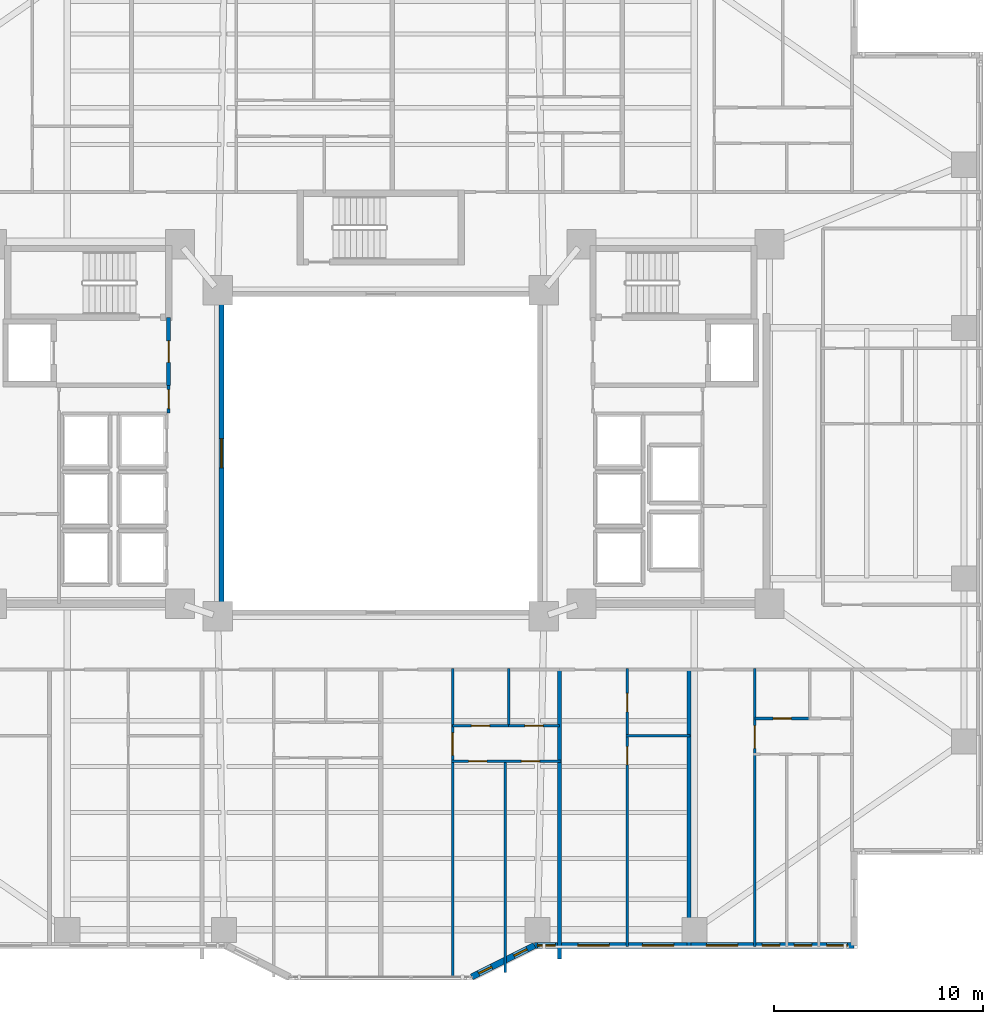
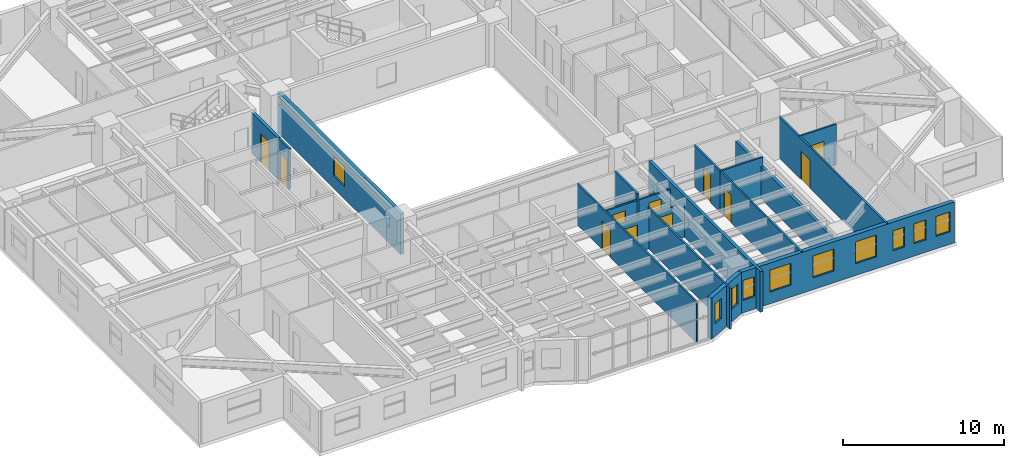
# One storey, part 12 of 22: 18 walls, 11 doors, 10 windows, 21 openings.
"""IFC4 building model written with IfcOpenShell, lengths in metres."""

import ifcopenshell
import ifcopenshell.guid

model = None  # the IFC model being written
_history = None  # IfcOwnerHistory: only IFC2X3 demands one
_inside = {}  # id of a spatial element -> (the spatial element, [elements in it])
_under = {}  # id of a project, library or spatial element -> (it, [spatial elements below it])
_declared = {}  # id of a project -> (the project, [libraries it declares])
_typed = {}  # id of a type object -> (the type object, [elements of that type])
_made_of = {}  # id of a material, layer set ... -> (it, [elements and type objects made of it])


def new_model(schema):
    """Start an empty IFC model of exactly this schema.

    Asked for "IFC4X3", IfcOpenShell would pick the latest addendum, in which some entities
    have other attributes; the version numbers below select the first issue.
    IFC2X3 requires an IfcOwnerHistory on every rooted entity: one is made here for all.
    """
    global model, _history
    if schema == "IFC4X3":
        model = ifcopenshell.file(schema_version=(4, 3, 0, 0))
    else:
        model = ifcopenshell.file(schema=schema)
    _inside.clear()
    _under.clear()
    _declared.clear()
    _typed.clear()
    _made_of.clear()
    _history = None
    if model.schema == "IFC2X3":
        org = make("IfcOrganization", Name="unknown")
        user = make(
            "IfcPersonAndOrganization",
            ThePerson=make("IfcPerson", FamilyName="unknown"),
            TheOrganization=org,
        )
        app = make(
            "IfcApplication",
            ApplicationDeveloper=org,
            Version="unknown",
            ApplicationFullName="unknown",
            ApplicationIdentifier="unknown",
        )
        _history = make(
            "IfcOwnerHistory",
            OwningUser=user,
            OwningApplication=app,
            ChangeAction="ADDED",
            CreationDate=0,
        )
    return model


def make(cls, **values):
    """One entity of the class cls with the attributes given. An attribute that is None is left unset."""
    return model.create_entity(
        cls, **{name: value for name, value in values.items() if value is not None}
    )


def rooted(cls, **values):
    """An entity with a GlobalId (a new one), such as an element, a storey or a relation."""
    return make(cls, GlobalId=ifcopenshell.guid.new(), OwnerHistory=_history, **values)


def si_unit(unit_type, name, prefix=None):
    """IfcSIUnit, for example si_unit("LENGTHUNIT", "METRE", prefix="MILLI")."""
    return make("IfcSIUnit", UnitType=unit_type, Prefix=prefix, Name=name)


def assignment(units):
    """IfcUnitAssignment: the units of a project."""
    return None if units is None else make("IfcUnitAssignment", Units=units)


def point(xyz):
    """IfcCartesianPoint."""
    return None if xyz is None else make("IfcCartesianPoint", Coordinates=xyz)


def direction(xyz):
    """IfcDirection."""
    return None if xyz is None else make("IfcDirection", DirectionRatios=xyz)


def frame(location, z_axis=None, x_axis=None):
    """IfcAxis2Placement3D, a coordinate frame: its origin and axes. An axis left out is left unset."""
    return make(
        "IfcAxis2Placement3D",
        Location=point(location),
        Axis=direction(z_axis),
        RefDirection=direction(x_axis),
    )


def frame_2d(location, x_axis=None):
    """IfcAxis2Placement2D, a coordinate frame in the plane: its origin and x axis."""
    return make(
        "IfcAxis2Placement2D", Location=point(location), RefDirection=direction(x_axis)
    )


def origin():
    """The frame at (0, 0, 0) with its axes left unset."""
    return frame((0.0, 0.0, 0.0))


def place(relative_to, where):
    """IfcLocalPlacement: puts the frame where relative to a parent placement (None: the world)."""
    return make(
        "IfcLocalPlacement", PlacementRelTo=relative_to, RelativePlacement=where
    )


def context(
    kind, dimensions, precision=None, world=None, true_north=None, identifier=None
):
    """IfcGeometricRepresentationContext, for example the 3D "Model" context."""
    return make(
        "IfcGeometricRepresentationContext",
        ContextIdentifier=identifier,
        ContextType=kind,
        CoordinateSpaceDimension=dimensions,
        Precision=precision,
        WorldCoordinateSystem=world,
        TrueNorth=true_north,
    )


def subcontext(parent, identifier, kind, view, scale=None):
    """IfcGeometricRepresentationSubContext, for example "Body" below "Model"."""
    return make(
        "IfcGeometricRepresentationSubContext",
        ContextIdentifier=identifier,
        ContextType=kind,
        ParentContext=parent,
        TargetScale=scale,
        TargetView=view,
    )


def project(units=None, contexts=None):
    """IfcProject with its units and contexts."""
    return rooted(
        "IfcProject",
        Name="project",
        RepresentationContexts=contexts,
        UnitsInContext=assignment(units),
    )


def spatial(cls, under=None, at=None, **own):
    """A site, building, storey or space (cls), placed at a placement, below another one or the project."""
    s = rooted(cls, ObjectPlacement=at, **own)
    if under is not None:
        _under.setdefault(under.id(), (under, []))[1].append(s)
    return s


def profile(cls, at=None, kind="AREA", **sizes):
    """A parametric profile (cls). Its sizes go by their IFC names, for example OverallWidth=200.0."""
    return make(cls, ProfileType=kind, Position=at, **sizes)


def rectangle(**sizes):
    """IfcRectangleProfileDef."""
    return profile("IfcRectangleProfileDef", **sizes)


def extrude(swept, where, along, depth):
    """IfcExtrudedAreaSolid: the profile swept, set in the frame where, extruded along a direction by depth."""
    return make(
        "IfcExtrudedAreaSolid",
        SweptArea=swept,
        Position=where,
        ExtrudedDirection=direction(along),
        Depth=depth,
    )


def shape(context_of_items, identifier, shape_type, items):
    """IfcShapeRepresentation: the items that make up one representation, for example the "Body"."""
    return make(
        "IfcShapeRepresentation",
        ContextOfItems=context_of_items,
        RepresentationIdentifier=identifier,
        RepresentationType=shape_type,
        Items=items,
    )


def material(Name=None, Category=None):
    """IfcMaterial."""
    return make("IfcMaterial", Name=Name, Category=Category)


def layer(
    of_material, thickness, ventilated=None, Name=None, Category=None, Priority=None
):
    """IfcMaterialLayer: one layer of a wall or slab, of a material (None: an air gap)."""
    return make(
        "IfcMaterialLayer",
        Material=of_material,
        LayerThickness=thickness,
        IsVentilated=ventilated,
        Name=Name,
        Category=Category,
        Priority=Priority,
    )


def layer_set(layers, Name=None):
    """IfcMaterialLayerSet."""
    return make("IfcMaterialLayerSet", MaterialLayers=layers, LayerSetName=Name)


def made_of(thing, what):
    """Note that an element or type object is made of a material, layer set ...; save() writes the relation."""
    if what is not None:
        _made_of.setdefault(what.id(), (what, []))[1].append(thing)
    return thing


def type_object(cls, material=None, **own):
    """A type object (cls), such as IfcWallType, which elements share."""
    return made_of(rooted(cls, **own), material)


def element(
    cls,
    number,
    at=None,
    inside=None,
    cuts=None,
    type_object=None,
    material=None,
    context=None,
    identifier="Body",
    shape_type=None,
    held_by="IfcProductDefinitionShape",
    body=None,
    shapes=None,
    **own,
):
    """One element of the class cls, such as IfcWall. Its Tag is "e" and its number.

    at: its placement. inside: the storey or other place that contains it. cuts: it is an
    opening in that element (IfcRelVoidsElement). A single representation is given by context,
    identifier, shape_type and body (its items); several are given by shapes. held_by: the class
    of the entity that holds the representations. save() writes the other relations.
    """
    e = rooted(cls, Tag="e%d" % number, ObjectPlacement=at, **own)
    if body is not None:
        shapes = [shape(context, identifier, shape_type, body)]
    if shapes is not None:
        e.Representation = make(held_by, Representations=shapes)
    if inside is not None:
        _inside.setdefault(inside.id(), (inside, []))[1].append(e)
    if cuts is not None:
        rooted(
            "IfcRelVoidsElement", RelatingBuildingElement=cuts, RelatedOpeningElement=e
        )
    if type_object is not None:
        _typed.setdefault(type_object.id(), (type_object, []))[1].append(e)
    return made_of(e, material)


def fill(opening, filler):
    """IfcRelFillsElement: the door or window that sits in an opening."""
    return rooted(
        "IfcRelFillsElement",
        RelatingOpeningElement=opening,
        RelatedBuildingElement=filler,
    )


def aggregate(whole, parts):
    """IfcRelAggregates: a whole, such as a stair, and the parts it consists of."""
    return rooted("IfcRelAggregates", RelatingObject=whole, RelatedObjects=parts)


def save(model, path):
    """Write the relations noted so far, then the file.

    IfcRelAggregates (storeys below a building ...), IfcRelContainedInSpatialStructure (elements
    in a storey), IfcRelDefinesByType, IfcRelAssociatesMaterial and IfcRelDeclares: one each for
    every whole, place, type object, material and project.
    """
    for whole, parts in _under.values():
        aggregate(whole, parts)
    for where, things in _inside.values():
        rooted(
            "IfcRelContainedInSpatialStructure",
            RelatedElements=things,
            RelatingStructure=where,
        )
    for kind, things in _typed.values():
        rooted("IfcRelDefinesByType", RelatedObjects=things, RelatingType=kind)
    for what, things in _made_of.values():
        rooted("IfcRelAssociatesMaterial", RelatedObjects=things, RelatingMaterial=what)
    for by, libraries in _declared.values():
        rooted("IfcRelDeclares", RelatingContext=by, RelatedDefinitions=libraries)
    model.write(path)


model = new_model("IFC4")

# Units and contexts
model_context = context("Model", 3, precision=1e-05, world=origin(), true_north=direction((0.0, 1.0)))
body_context = subcontext(model_context, "Body", "Model", "MODEL_VIEW")
ifc_project = project(units=[si_unit("LENGTHUNIT", "METRE"), si_unit("AREAUNIT", "SQUARE_METRE"), si_unit("VOLUMEUNIT", "CUBIC_METRE"), si_unit("PLANEANGLEUNIT", "RADIAN"), si_unit("MASSUNIT", "GRAM", prefix="KILO")], contexts=[model_context])

# Site, building, storey
site_placement = place(None, origin())
site = spatial("IfcSite", under=ifc_project, at=site_placement, CompositionType="ELEMENT")
building_placement = place(site_placement, origin())
building = spatial("IfcBuilding", under=site, at=building_placement, Name="Tarnavaz Court Tower", CompositionType="ELEMENT")
storey_placement = place(building_placement, frame((0.0, 0.0, 57.5)))
storey = spatial("IfcBuildingStorey", under=building, at=storey_placement, Name="L15", CompositionType="ELEMENT", Elevation=57.5)

# Wall, openings, windows
ifc_material_1 = material(Name="Precast Concrete C40/50", Category="concrete")
ifc_layer_1 = layer(ifc_material_1, 0.300048828125)
ifc_layer_set_1 = layer_set([ifc_layer_1], Name="Precast Concrete C40/50")
wall_type_1 = type_object("IfcWallType", Name="WL-EXT-300", PredefinedType="SOLIDWALL", material=ifc_layer_set_1)
wall_1_placement = place(storey_placement, frame((22.64990234375, -23.550048828125, 0.0), z_axis=(0.0, 0.0, 1.0), x_axis=(-1.0, 0.0, 0.0)))
wall_1 = element("IfcWall", 1, at=wall_1_placement, inside=storey, type_object=wall_type_1, Name="L15 Exterior Terracotta Facade Wall 15", PredefinedType="SOLIDWALL", context=body_context, shape_type="SweptSolid", body=[
    extrude(rectangle(XDim=15.2998046875, YDim=0.300048828125, at=frame_2d((7.64990234375, 0.0))), origin(), (0.0, 0.0, 1.0), 3.10009765625),
])
opening_1_placement = place(wall_1_placement, frame((0.32080078125, 0.0, 0.949951171875)))
opening_1 = element("IfcOpeningElement", 2, at=opening_1_placement, cuts=wall_1, Name="Opening W14", PredefinedType="OPENING", context=body_context, shape_type="SweptSolid", body=[
    extrude(rectangle(XDim=1.0, YDim=1.5, at=frame_2d((0.5, 0.75))), frame((0.0, 0.159912109375, 0.0), z_axis=(0.0, -1.0, 0.0), x_axis=(1.0, 0.0, 0.0)), (0.0, 0.0, 1.0), 0.320068359375),
])
opening_2_placement = place(wall_1_placement, frame((2.031005859375, 0.0, 0.949951171875)))
opening_2 = element("IfcOpeningElement", 3, at=opening_2_placement, cuts=wall_1, Name="Opening W15", PredefinedType="OPENING", context=body_context, shape_type="SweptSolid", body=[
    extrude(rectangle(XDim=0.85009765625, YDim=1.5, at=frame_2d((0.425048828125, 0.75))), frame((0.0, 0.159912109375, 0.0), z_axis=(0.0, -1.0, 0.0), x_axis=(1.0, 0.0, 0.0)), (0.0, 0.0, 1.0), 0.320068359375),
])
opening_3_placement = place(wall_1_placement, frame((3.5615234375, 0.0, 0.949951171875)))
opening_3 = element("IfcOpeningElement", 4, at=opening_3_placement, cuts=wall_1, Name="Opening W15", PredefinedType="OPENING", context=body_context, shape_type="SweptSolid", body=[
    extrude(rectangle(XDim=0.85009765625, YDim=1.5, at=frame_2d((0.425048828125, 0.75))), frame((0.0, 0.159912109375, 0.0), z_axis=(0.0, -1.0, 0.0), x_axis=(1.0, 0.0, 0.0)), (0.0, 0.0, 1.0), 0.320068359375),
])
opening_4_placement = place(wall_1_placement, frame((5.57080078125, 0.0, 0.89990234375)))
opening_4 = element("IfcOpeningElement", 5, at=opening_4_placement, cuts=wall_1, Name="Opening W03", PredefinedType="OPENING", context=body_context, shape_type="SweptSolid", body=[
    extrude(rectangle(XDim=1.5, YDim=1.64990234375, at=frame_2d((0.75, 0.824951171875))), frame((0.0, 0.159912109375, 0.0), z_axis=(0.0, -1.0, 0.0), x_axis=(1.0, 0.0, 0.0)), (0.0, 0.0, 1.0), 0.320068359375),
])
opening_5_placement = place(wall_1_placement, frame((8.630615234375, 0.0, 0.89990234375)))
opening_5 = element("IfcOpeningElement", 6, at=opening_5_placement, cuts=wall_1, Name="Opening W03", PredefinedType="OPENING", context=body_context, shape_type="SweptSolid", body=[
    extrude(rectangle(XDim=1.5, YDim=1.64990234375, at=frame_2d((0.75, 0.824951171875))), frame((0.0, 0.159912109375, 0.0), z_axis=(0.0, -1.0, 0.0), x_axis=(1.0, 0.0, 0.0)), (0.0, 0.0, 1.0), 0.320068359375),
])
opening_6_placement = place(wall_1_placement, frame((11.7158203125, 0.0, 0.89990234375)))
opening_6 = element("IfcOpeningElement", 7, at=opening_6_placement, cuts=wall_1, Name="Opening W03", PredefinedType="OPENING", context=body_context, shape_type="SweptSolid", body=[
    extrude(rectangle(XDim=1.5, YDim=1.64990234375, at=frame_2d((0.75, 0.824951171875))), frame((0.0, 0.159912109375, 0.0), z_axis=(0.0, -1.0, 0.0), x_axis=(1.0, 0.0, 0.0)), (0.0, 0.0, 1.0), 0.320068359375),
])
opening_7_placement = place(wall_1_placement, frame((14.30322265625, 0.0, 0.949951171875)))
opening_7 = element("IfcOpeningElement", 8, at=opening_7_placement, cuts=wall_1, Name="Opening W15", PredefinedType="OPENING", context=body_context, shape_type="SweptSolid", body=[
    extrude(rectangle(XDim=0.85009765625, YDim=1.5, at=frame_2d((0.425048828125, 0.75))), frame((0.0, 0.159912109375, 0.0), z_axis=(0.0, -1.0, 0.0), x_axis=(1.0, 0.0, 0.0)), (0.0, 0.0, 1.0), 0.320068359375),
])
ifc_material_2 = material(Name="Double-Glazed Solar Low-E Glass", Category="glass")
window_type_1 = type_object("IfcWindowType", Name="WN-APT-1000", PartitioningType="SINGLE_PANEL", PredefinedType="WINDOW", material=ifc_material_2)
window_1_placement = place(opening_1_placement, origin())
window_1 = element("IfcWindow", 9, at=window_1_placement, inside=storey, type_object=window_type_1, Name="L15 Flat 08 Bedroom 3 Window", OverallHeight=1.5, OverallWidth=1.0, PartitioningType="SINGLE_PANEL", PredefinedType="WINDOW", context=body_context, shape_type="SweptSolid", body=[
    extrude(rectangle(XDim=1.0, YDim=1.5, at=frame_2d((0.5, 0.75))), frame((0.0, 0.030029296875, 0.0), z_axis=(0.0, -1.0, 0.0), x_axis=(1.0, 0.0, 0.0)), (0.0, 0.0, 1.0), 0.06005859375),
])
fill(opening_1, window_1)
window_type_2 = type_object("IfcWindowType", Name="WN-APT-1500", PartitioningType="DOUBLE_PANEL_VERTICAL", PredefinedType="WINDOW", material=ifc_material_2)
window_2_placement = place(opening_4_placement, origin())
window_2 = element("IfcWindow", 10, at=window_2_placement, inside=storey, type_object=window_type_2, Name="L15 Flat 08 Living and Dining Room Window", OverallHeight=1.64990234375, OverallWidth=1.5, PartitioningType="SINGLE_PANEL", PredefinedType="WINDOW", context=body_context, shape_type="SweptSolid", body=[
    extrude(rectangle(XDim=1.5, YDim=1.64990234375, at=frame_2d((0.75, 0.824951171875))), frame((0.0, 0.030029296875, 0.0), z_axis=(0.0, -1.0, 0.0), x_axis=(1.0, 0.0, 0.0)), (0.0, 0.0, 1.0), 0.06005859375),
])
fill(opening_4, window_2)
window_3_placement = place(opening_5_placement, origin())
window_3 = element("IfcWindow", 11, at=window_3_placement, inside=storey, type_object=window_type_2, Name="L15 Flat 07 Kitchen Window", OverallHeight=1.64990234375, OverallWidth=1.5, PartitioningType="SINGLE_PANEL", PredefinedType="WINDOW", context=body_context, shape_type="SweptSolid", body=[
    extrude(rectangle(XDim=1.5, YDim=1.64990234375, at=frame_2d((0.75, 0.824951171875))), frame((0.0, 0.030029296875, 0.0), z_axis=(0.0, -1.0, 0.0), x_axis=(1.0, 0.0, 0.0)), (0.0, 0.0, 1.0), 0.06005859375),
])
fill(opening_5, window_3)
window_4_placement = place(opening_6_placement, origin())
window_4 = element("IfcWindow", 12, at=window_4_placement, inside=storey, type_object=window_type_2, Name="L15 Flat 07 Studio Living and Sleeping Room Window", OverallHeight=1.64990234375, OverallWidth=1.5, PartitioningType="SINGLE_PANEL", PredefinedType="WINDOW", context=body_context, shape_type="SweptSolid", body=[
    extrude(rectangle(XDim=1.5, YDim=1.64990234375, at=frame_2d((0.75, 0.824951171875))), frame((0.0, 0.030029296875, 0.0), z_axis=(0.0, -1.0, 0.0), x_axis=(1.0, 0.0, 0.0)), (0.0, 0.0, 1.0), 0.06005859375),
])
fill(opening_6, window_4)
window_type_3 = type_object("IfcWindowType", Name="WN-APT-850", PartitioningType="SINGLE_PANEL", PredefinedType="WINDOW", material=ifc_material_2)
window_5_placement = place(opening_2_placement, origin())
window_5 = element("IfcWindow", 13, at=window_5_placement, inside=storey, type_object=window_type_3, Name="L15 Flat 08 Bedroom 2 Window", OverallHeight=1.5, OverallWidth=0.85009765625, PartitioningType="SINGLE_PANEL", PredefinedType="WINDOW", context=body_context, shape_type="SweptSolid", body=[
    extrude(rectangle(XDim=0.85009765625, YDim=1.5, at=frame_2d((0.425048828125, 0.75))), frame((0.0, 0.030029296875, 0.0), z_axis=(0.0, -1.0, 0.0), x_axis=(1.0, 0.0, 0.0)), (0.0, 0.0, 1.0), 0.06005859375),
])
fill(opening_2, window_5)
window_6_placement = place(opening_3_placement, origin())
window_6 = element("IfcWindow", 14, at=window_6_placement, inside=storey, type_object=window_type_3, Name="L15 Flat 08 Principal Bedroom Window", OverallHeight=1.5, OverallWidth=0.85009765625, PartitioningType="SINGLE_PANEL", PredefinedType="WINDOW", context=body_context, shape_type="SweptSolid", body=[
    extrude(rectangle(XDim=0.85009765625, YDim=1.5, at=frame_2d((0.425048828125, 0.75))), frame((0.0, 0.030029296875, 0.0), z_axis=(0.0, -1.0, 0.0), x_axis=(1.0, 0.0, 0.0)), (0.0, 0.0, 1.0), 0.06005859375),
])
fill(opening_3, window_6)
window_7_placement = place(opening_7_placement, origin())
window_7 = element("IfcWindow", 15, at=window_7_placement, inside=storey, type_object=window_type_3, Name="L15 Flat 10 Bedroom 2 Window", OverallHeight=1.5, OverallWidth=0.85009765625, PartitioningType="SINGLE_PANEL", PredefinedType="WINDOW", context=body_context, shape_type="SweptSolid", body=[
    extrude(rectangle(XDim=0.85009765625, YDim=1.5, at=frame_2d((0.425048828125, 0.75))), frame((0.0, 0.030029296875, 0.0), z_axis=(0.0, -1.0, 0.0), x_axis=(1.0, 0.0, 0.0)), (0.0, 0.0, 1.0), 0.06005859375),
])
fill(opening_7, window_7)

wall_2_placement = place(storey_placement, frame((7.35009765625, -23.550048828125, 0.0), z_axis=(0.0, 0.0, 1.0), x_axis=(-0.894427191, -0.4472135955, 0.0)))
wall_2 = element("IfcWall", 16, at=wall_2_placement, inside=storey, type_object=wall_type_1, Name="L15 Exterior Terracotta Facade Wall 16", PredefinedType="SOLIDWALL", context=body_context, shape_type="SweptSolid", body=[
    extrude(rectangle(XDim=3.35400390625, YDim=0.300048828125, at=frame_2d((1.677001953125, 0.0))), origin(), (0.0, 0.0, 1.0), 3.10009765625),
])
opening_8_placement = place(wall_2_placement, frame((0.395751953125, 0.0, 0.949951171875)))
opening_8 = element("IfcOpeningElement", 17, at=opening_8_placement, cuts=wall_2, Name="Opening W16", PredefinedType="OPENING", context=body_context, shape_type="SweptSolid", body=[
    extrude(rectangle(XDim=0.699951171875, YDim=1.5, at=frame_2d((0.35009765625, 0.75))), frame((0.0, 0.159912109375, 0.0), z_axis=(0.0, -1.0, 0.0), x_axis=(1.0, 0.0, 0.0)), (0.0, 0.0, 1.0), 0.320068359375),
])
opening_9_placement = place(wall_2_placement, frame((2.282470703125, 0.0, 0.949951171875)))
opening_9 = element("IfcOpeningElement", 18, at=opening_9_placement, cuts=wall_2, Name="Opening W16", PredefinedType="OPENING", context=body_context, shape_type="SweptSolid", body=[
    extrude(rectangle(XDim=0.699951171875, YDim=1.5, at=frame_2d((0.35009765625, 0.75))), frame((0.0, 0.159912109375, 0.0), z_axis=(0.0, -1.0, 0.0), x_axis=(1.0, 0.0, 0.0)), (0.0, 0.0, 1.0), 0.320068359375),
])
window_type_4 = type_object("IfcWindowType", Name="WN-APT-700", PartitioningType="SINGLE_PANEL", PredefinedType="WINDOW", material=ifc_material_2)
window_8_placement = place(opening_8_placement, origin())
window_8 = element("IfcWindow", 19, at=window_8_placement, inside=storey, type_object=window_type_4, Name="L15 Flat 10 Bedroom 2 Window", OverallHeight=1.5, OverallWidth=0.699951171875, PartitioningType="SINGLE_PANEL", PredefinedType="WINDOW", context=body_context, shape_type="SweptSolid", body=[
    extrude(rectangle(XDim=0.699951171875, YDim=1.5, at=frame_2d((0.35009765625, 0.75))), frame((0.0, 0.030029296875, 0.0), z_axis=(0.0, -1.0, 0.0), x_axis=(1.0, 0.0, 0.0)), (0.0, 0.0, 1.0), 0.06005859375),
])
fill(opening_8, window_8)
window_9_placement = place(opening_9_placement, origin())
window_9 = element("IfcWindow", 20, at=window_9_placement, inside=storey, type_object=window_type_4, Name="L15 Flat 10 Principal Bedroom Window", OverallHeight=1.5, OverallWidth=0.699951171875, PartitioningType="SINGLE_PANEL", PredefinedType="WINDOW", context=body_context, shape_type="SweptSolid", body=[
    extrude(rectangle(XDim=0.699951171875, YDim=1.5, at=frame_2d((0.35009765625, 0.75))), frame((0.0, 0.030029296875, 0.0), z_axis=(0.0, -1.0, 0.0), x_axis=(1.0, 0.0, 0.0)), (0.0, 0.0, 1.0), 0.06005859375),
])
fill(opening_9, window_9)

# Wall, opening, door
ifc_material_3 = material(Name="Autoclaved Aerated Concrete Blockwork", Category="masonry")
ifc_layer_2 = layer(ifc_material_3, 0.199951171875)
ifc_layer_set_2 = layer_set([ifc_layer_2], Name="Autoclaved Aerated Concrete Blockwork")
wall_type_2 = type_object("IfcWallType", Name="WL-FIRE-200", PredefinedType="SOLIDWALL", material=ifc_layer_set_2)
wall_3_placement = place(storey_placement, frame((-10.14990234375, 3.25, 0.0), z_axis=(0.0, 0.0, 1.0), x_axis=(0.0, 1.0, 0.0)))
wall_3 = element("IfcWall", 21, at=wall_3_placement, inside=storey, type_object=wall_type_2, Name="L15 West Firefighting Lobby Wall 014", PredefinedType="SOLIDWALL", context=body_context, shape_type="SweptSolid", body=[
    extrude(rectangle(XDim=3.25, YDim=0.199951171875, at=frame_2d((1.625, 0.0))), origin(), (0.0, 0.0, 1.0), 3.10009765625),
])
opening_10_placement = place(wall_3_placement, frame((1.10009765625, 0.0, 0.0)))
opening_10 = element("IfcOpeningElement", 22, at=opening_10_placement, cuts=wall_3, Name="Opening D05", PredefinedType="OPENING", context=body_context, shape_type="SweptSolid", body=[
    extrude(rectangle(XDim=1.02001953125, YDim=2.14990234375, at=frame_2d((0.510009765625, 1.074951171875))), frame((0.0, 0.10986328125, 0.0), z_axis=(0.0, -1.0, 0.0), x_axis=(1.0, 0.0, 0.0)), (0.0, 0.0, 1.0), 0.219970703125),
])
ifc_material_4 = material(Name="Fire-Rated Hardwood Timber Core", Category="wood")
door_type_1 = type_object("IfcDoorType", Name="DR-FD60-1000", OperationType="NOTDEFINED", PredefinedType="DOOR", material=ifc_material_4)
door_1_placement = place(opening_10_placement, origin())
door_1 = element("IfcDoor", 23, at=door_1_placement, inside=storey, type_object=door_type_1, Name="L15 West Firefighting Lobby Door", OperationType="SINGLE_SWING_RIGHT", OverallHeight=2.14990234375, OverallWidth=1.02001953125, PredefinedType="DOOR", context=body_context, shape_type="SweptSolid", body=[
    extrude(rectangle(XDim=1.02001953125, YDim=2.14990234375, at=frame_2d((0.510009765625, 1.074951171875))), frame((0.0, 0.02490234375, 0.0), z_axis=(0.0, -1.0, 0.0), x_axis=(1.0, 0.0, 0.0)), (0.0, 0.0, 1.0), 0.050048828125),
])
fill(opening_10, door_1)

# Walls
wall_4_placement = place(storey_placement, frame((14.738037109375, -23.60009765625, 0.0), z_axis=(0.0, 0.0, 1.0), x_axis=(0.0, 1.0, 0.0)))
element("IfcWall", 24, at=wall_4_placement, inside=storey, type_object=wall_type_2, Name="L15 Party Wall 118", PredefinedType="SOLIDWALL", context=body_context, shape_type="SweptSolid", body=[
    extrude(rectangle(XDim=13.25, YDim=0.199951171875, at=frame_2d((6.625, 0.0))), origin(), (0.0, 0.0, 1.0), 2.43505859375),
])
wall_5_placement = place(storey_placement, frame((8.550048828125, -24.2041015625, 0.0), z_axis=(0.0, 0.0, 1.0), x_axis=(0.0, 1.0, 0.0)))
element("IfcWall", 25, at=wall_5_placement, inside=storey, type_object=wall_type_2, Name="L15 Party Wall 130", PredefinedType="SOLIDWALL", context=body_context, shape_type="SweptSolid", body=[
    extrude(rectangle(XDim=13.85400390625, YDim=0.199951171875, at=frame_2d((6.927001953125, 0.0))), origin(), (0.0, 0.0, 1.0), 3.10009765625),
])

# Wall, opening, door
ifc_material_5 = material(Name="Moisture-Resistant Gypsum Board Partition", Category="masonry")
ifc_layer_3 = layer(ifc_material_5, 0.1201171875)
ifc_layer_set_3 = layer_set([ifc_layer_3], Name="Moisture-Resistant Gypsum Board Partition")
wall_type_3 = type_object("IfcWallType", Name="WL-PART-120", PredefinedType="PARTITIONING", material=ifc_layer_set_3)
wall_6_placement = place(storey_placement, frame((11.7890625, -23.60009765625, 0.0), z_axis=(0.0, 0.0, 1.0), x_axis=(0.0, 1.0, 0.0)))
wall_6 = element("IfcWall", 26, at=wall_6_placement, inside=storey, type_object=wall_type_3, Name="L15 Interior Partition 119", PredefinedType="PARTITIONING", context=body_context, shape_type="SweptSolid", body=[
    extrude(rectangle(XDim=10.090087890625, YDim=0.1201171875, at=frame_2d((5.044921875, 0.0))), origin(), (0.0, 0.0, 1.0), 3.10009765625),
])
opening_11_placement = place(wall_6_placement, frame((8.68994140625, 0.0, 0.0)))
opening_11 = element("IfcOpeningElement", 27, at=opening_11_placement, cuts=wall_6, Name="Opening D14", PredefinedType="OPENING", context=body_context, shape_type="SweptSolid", body=[
    extrude(rectangle(XDim=0.8798828125, YDim=2.10009765625, at=frame_2d((0.43994140625, 1.050048828125))), frame((0.0, 0.070068359375, 0.0), z_axis=(0.0, -1.0, 0.0), x_axis=(1.0, 0.0, 0.0)), (0.0, 0.0, 1.0), 0.14013671875),
])
ifc_material_6 = material(Name="Engineered Oak Timber", Category="wood")
door_type_2 = type_object("IfcDoorType", Name="DR-INT-900", OperationType="NOTDEFINED", PredefinedType="DOOR", material=ifc_material_6)
door_2_placement = place(opening_11_placement, origin())
door_2 = element("IfcDoor", 28, at=door_2_placement, inside=storey, type_object=door_type_2, Name="L15 Flat 07 Kitchen Door", OperationType="SINGLE_SWING_LEFT", OverallHeight=2.10009765625, OverallWidth=0.8798828125, PredefinedType="DOOR", context=body_context, shape_type="SweptSolid", body=[
    extrude(rectangle(XDim=0.8798828125, YDim=2.10009765625, at=frame_2d((0.43994140625, 1.050048828125))), frame((0.0, 0.02490234375, 0.0), z_axis=(0.0, -1.0, 0.0), x_axis=(1.0, 0.0, 0.0)), (0.0, 0.0, 1.0), 0.050048828125),
])
fill(opening_11, door_2)

wall_7_placement = place(storey_placement, frame((11.7890625, -13.510009765625, 0.0), z_axis=(0.0, 0.0, 1.0), x_axis=(0.0, 1.0, 0.0)))
wall_7 = element("IfcWall", 29, at=wall_7_placement, inside=storey, type_object=wall_type_3, Name="L15 Interior Partition 120", PredefinedType="PARTITIONING", context=body_context, shape_type="SweptSolid", body=[
    extrude(rectangle(XDim=3.219970703125, YDim=0.1201171875, at=frame_2d((1.60986328125, 0.0))), origin(), (0.0, 0.0, 1.0), 3.10009765625),
])
opening_12_placement = place(wall_7_placement, frame((1.139892578125, 0.0, 0.0)))
opening_12 = element("IfcOpeningElement", 30, at=opening_12_placement, cuts=wall_7, Name="Opening D14", PredefinedType="OPENING", context=body_context, shape_type="SweptSolid", body=[
    extrude(rectangle(XDim=0.8798828125, YDim=2.10009765625, at=frame_2d((0.43994140625, 1.050048828125))), frame((0.0, 0.070068359375, 0.0), z_axis=(0.0, -1.0, 0.0), x_axis=(1.0, 0.0, 0.0)), (0.0, 0.0, 1.0), 0.14013671875),
])
door_3_placement = place(opening_12_placement, origin())
door_3 = element("IfcDoor", 31, at=door_3_placement, inside=storey, type_object=door_type_2, Name="L15 Flat 07 Bathroom Door", OperationType="SINGLE_SWING_RIGHT", OverallHeight=2.10009765625, OverallWidth=0.8798828125, PredefinedType="DOOR", context=body_context, shape_type="SweptSolid", body=[
    extrude(rectangle(XDim=0.8798828125, YDim=2.10009765625, at=frame_2d((0.43994140625, 1.050048828125))), frame((0.0, 0.02490234375, 0.0), z_axis=(0.0, -1.0, 0.0), x_axis=(1.0, 0.0, 0.0)), (0.0, 0.0, 1.0), 0.050048828125),
])
fill(opening_12, door_3)

# Wall
wall_8_placement = place(storey_placement, frame((11.72900390625, -13.510009765625, 0.0), z_axis=(0.0, 0.0, 1.0), x_axis=(1.0, 0.0, 0.0)))
element("IfcWall", 32, at=wall_8_placement, inside=storey, type_object=wall_type_3, Name="L15 Interior Partition 121", PredefinedType="PARTITIONING", context=body_context, shape_type="SweptSolid", body=[
    extrude(rectangle(XDim=3.069091796875, YDim=0.1201171875, at=frame_2d((1.53466796875, 0.0))), origin(), (0.0, 0.0, 1.0), 3.10009765625),
])

# Wall, opening, door
wall_9_placement = place(storey_placement, frame((17.89794921875, -23.60009765625, 0.0), z_axis=(0.0, 0.0, 1.0), x_axis=(0.0, 1.0, 0.0)))
wall_9 = element("IfcWall", 33, at=wall_9_placement, inside=storey, type_object=wall_type_3, Name="L15 Interior Partition 122", PredefinedType="PARTITIONING", context=body_context, shape_type="SweptSolid", body=[
    extrude(rectangle(XDim=13.31005859375, YDim=0.1201171875, at=frame_2d((6.655029296875, 0.0))), origin(), (0.0, 0.0, 1.0), 3.10009765625),
])
opening_13_placement = place(wall_9_placement, frame((9.485107421875, 0.0, 0.0)))
opening_13 = element("IfcOpeningElement", 34, at=opening_13_placement, cuts=wall_9, Name="Opening D12", PredefinedType="OPENING", context=body_context, shape_type="SweptSolid", body=[
    extrude(rectangle(XDim=1.080078125, YDim=2.14990234375, at=frame_2d((0.5400390625, 1.074951171875))), frame((0.0, 0.070068359375, 0.0), z_axis=(0.0, -1.0, 0.0), x_axis=(1.0, 0.0, 0.0)), (0.0, 0.0, 1.0), 0.14013671875),
])
door_type_3 = type_object("IfcDoorType", Name="DR-INT-1100", OperationType="NOTDEFINED", PredefinedType="DOOR", material=ifc_material_6)
door_4_placement = place(opening_13_placement, origin())
door_4 = element("IfcDoor", 35, at=door_4_placement, inside=storey, type_object=door_type_3, Name="L15 Flat 08 Foyer Door", OperationType="SINGLE_SWING_RIGHT", OverallHeight=2.14990234375, OverallWidth=1.080078125, PredefinedType="DOOR", context=body_context, shape_type="SweptSolid", body=[
    extrude(rectangle(XDim=1.080078125, YDim=2.14990234375, at=frame_2d((0.5400390625, 1.074951171875))), frame((0.0, 0.02490234375, 0.0), z_axis=(0.0, -1.0, 0.0), x_axis=(1.0, 0.0, 0.0)), (0.0, 0.0, 1.0), 0.050048828125),
])
fill(opening_13, door_4)

wall_10_placement = place(storey_placement, frame((17.89794921875, -12.68994140625, 0.0), z_axis=(0.0, 0.0, 1.0), x_axis=(1.0, 0.0, 0.0)))
wall_10 = element("IfcWall", 36, at=wall_10_placement, inside=storey, type_object=wall_type_3, Name="L15 Interior Partition 123", PredefinedType="PARTITIONING", context=body_context, shape_type="SweptSolid", body=[
    extrude(rectangle(XDim=2.616943359375, YDim=0.1201171875, at=frame_2d((1.30859375, 0.0))), origin(), (0.0, 0.0, 1.0), 3.10009765625),
])
opening_14_placement = place(wall_10_placement, frame((0.868896484375, 0.0, 0.0)))
opening_14 = element("IfcOpeningElement", 37, at=opening_14_placement, cuts=wall_10, Name="Opening D14", PredefinedType="OPENING", context=body_context, shape_type="SweptSolid", body=[
    extrude(rectangle(XDim=0.8798828125, YDim=2.10009765625, at=frame_2d((0.43994140625, 1.050048828125))), frame((0.0, 0.070068359375, 0.0), z_axis=(0.0, -1.0, 0.0), x_axis=(1.0, 0.0, 0.0)), (0.0, 0.0, 1.0), 0.14013671875),
])
door_5_placement = place(opening_14_placement, origin())
door_5 = element("IfcDoor", 38, at=door_5_placement, inside=storey, type_object=door_type_2, Name="L15 Flat 08 Kitchen Door", OperationType="SINGLE_SWING_LEFT", OverallHeight=2.10009765625, OverallWidth=0.8798828125, PredefinedType="DOOR", context=body_context, shape_type="SweptSolid", body=[
    extrude(rectangle(XDim=0.8798828125, YDim=2.10009765625, at=frame_2d((0.43994140625, 1.050048828125))), frame((0.0, 0.02490234375, 0.0), z_axis=(0.0, -1.0, 0.0), x_axis=(1.0, 0.0, 0.0)), (0.0, 0.0, 1.0), 0.050048828125),
])
fill(opening_14, door_5)

wall_11_placement = place(storey_placement, frame((3.431884765625, -25.080078125, 0.0), z_axis=(0.0, 0.0, 1.0), x_axis=(0.0, 1.0, 0.0)))
wall_11 = element("IfcWall", 39, at=wall_11_placement, inside=storey, type_object=wall_type_3, Name="L15 Interior Partition 138", PredefinedType="PARTITIONING", context=body_context, shape_type="SweptSolid", body=[
    extrude(rectangle(XDim=14.7900390625, YDim=0.1201171875, at=frame_2d((7.39501953125, 0.0))), origin(), (0.0, 0.0, 1.0), 3.10009765625),
])
opening_15_placement = place(wall_11_placement, frame((10.625, 0.0, 0.0)))
opening_15 = element("IfcOpeningElement", 40, at=opening_15_placement, cuts=wall_11, Name="Opening D12", PredefinedType="OPENING", context=body_context, shape_type="SweptSolid", body=[
    extrude(rectangle(XDim=1.080078125, YDim=2.14990234375, at=frame_2d((0.5400390625, 1.074951171875))), frame((0.0, 0.070068359375, 0.0), z_axis=(0.0, -1.0, 0.0), x_axis=(1.0, 0.0, 0.0)), (0.0, 0.0, 1.0), 0.14013671875),
])
door_6_placement = place(opening_15_placement, origin())
door_6 = element("IfcDoor", 41, at=door_6_placement, inside=storey, type_object=door_type_3, Name="L15 Flat 10 Foyer Door", OperationType="SINGLE_SWING_LEFT", OverallHeight=2.14990234375, OverallWidth=1.080078125, PredefinedType="DOOR", context=body_context, shape_type="SweptSolid", body=[
    extrude(rectangle(XDim=1.080078125, YDim=2.14990234375, at=frame_2d((0.5400390625, 1.074951171875))), frame((0.0, 0.02490234375, 0.0), z_axis=(0.0, -1.0, 0.0), x_axis=(1.0, 0.0, 0.0)), (0.0, 0.0, 1.0), 0.050048828125),
])
fill(opening_15, door_6)

wall_12_placement = place(storey_placement, frame((3.431884765625, -13.030029296875, 0.0), z_axis=(0.0, 0.0, 1.0), x_axis=(1.0, 0.0, 0.0)))
wall_12 = element("IfcWall", 42, at=wall_12_placement, inside=storey, type_object=wall_type_3, Name="L15 Interior Partition 139", PredefinedType="PARTITIONING", context=body_context, shape_type="SweptSolid", body=[
    extrude(rectangle(XDim=2.68115234375, YDim=0.1201171875, at=frame_2d((1.340576171875, 0.0))), origin(), (0.0, 0.0, 1.0), 2.5849609375),
])
opening_16_placement = place(wall_12_placement, frame((0.90087890625, 0.0, 0.0)))
opening_16 = element("IfcOpeningElement", 43, at=opening_16_placement, cuts=wall_12, Name="Opening D14", PredefinedType="OPENING", context=body_context, shape_type="SweptSolid", body=[
    extrude(rectangle(XDim=0.8798828125, YDim=2.10009765625, at=frame_2d((0.43994140625, 1.050048828125))), frame((0.0, 0.070068359375, 0.0), z_axis=(0.0, -1.0, 0.0), x_axis=(1.0, 0.0, 0.0)), (0.0, 0.0, 1.0), 0.14013671875),
])
door_7_placement = place(opening_16_placement, origin())
door_7 = element("IfcDoor", 44, at=door_7_placement, inside=storey, type_object=door_type_2, Name="L15 Flat 10 Kitchen Door", OperationType="SINGLE_SWING_RIGHT", OverallHeight=2.10009765625, OverallWidth=0.8798828125, PredefinedType="DOOR", context=body_context, shape_type="SweptSolid", body=[
    extrude(rectangle(XDim=0.8798828125, YDim=2.10009765625, at=frame_2d((0.43994140625, 1.050048828125))), frame((0.0, 0.02490234375, 0.0), z_axis=(0.0, -1.0, 0.0), x_axis=(1.0, 0.0, 0.0)), (0.0, 0.0, 1.0), 0.050048828125),
])
fill(opening_16, door_7)

wall_13_placement = place(storey_placement, frame((6.113037109375, -13.030029296875, 0.0), z_axis=(0.0, 0.0, 1.0), x_axis=(1.0, 0.0, 0.0)))
wall_13 = element("IfcWall", 45, at=wall_13_placement, inside=storey, type_object=wall_type_3, Name="L15 Interior Partition 140", PredefinedType="PARTITIONING", context=body_context, shape_type="SweptSolid", body=[
    extrude(rectangle(XDim=2.43701171875, YDim=0.1201171875, at=frame_2d((1.218505859375, 0.0))), origin(), (0.0, 0.0, 1.0), 2.5849609375),
])
opening_17_placement = place(wall_13_placement, frame((0.779052734375, 0.0, 0.0)))
opening_17 = element("IfcOpeningElement", 46, at=opening_17_placement, cuts=wall_13, Name="Opening D14", PredefinedType="OPENING", context=body_context, shape_type="SweptSolid", body=[
    extrude(rectangle(XDim=0.8798828125, YDim=2.10009765625, at=frame_2d((0.43994140625, 1.050048828125))), frame((0.0, 0.070068359375, 0.0), z_axis=(0.0, -1.0, 0.0), x_axis=(1.0, 0.0, 0.0)), (0.0, 0.0, 1.0), 0.14013671875),
])
door_8_placement = place(opening_17_placement, origin())
door_8 = element("IfcDoor", 47, at=door_8_placement, inside=storey, type_object=door_type_2, Name="L15 Flat 10 Bathroom Door", OperationType="SINGLE_SWING_LEFT", OverallHeight=2.10009765625, OverallWidth=0.8798828125, PredefinedType="DOOR", context=body_context, shape_type="SweptSolid", body=[
    extrude(rectangle(XDim=0.8798828125, YDim=2.10009765625, at=frame_2d((0.43994140625, 1.050048828125))), frame((0.0, 0.02490234375, 0.0), z_axis=(0.0, -1.0, 0.0), x_axis=(1.0, 0.0, 0.0)), (0.0, 0.0, 1.0), 0.050048828125),
])
fill(opening_17, door_8)

# Wall, openings, doors
wall_14_placement = place(storey_placement, frame((3.3720703125, -14.739990234375, 0.0), z_axis=(0.0, 0.0, 1.0), x_axis=(1.0, 0.0, 0.0)))
wall_14 = element("IfcWall", 48, at=wall_14_placement, inside=storey, type_object=wall_type_3, Name="L15 Interior Partition 141", PredefinedType="PARTITIONING", context=body_context, shape_type="SweptSolid", body=[
    extrude(rectangle(XDim=5.238037109375, YDim=0.1201171875, at=frame_2d((2.619140625, 0.0))), origin(), (0.0, 0.0, 1.0), 2.5849609375),
])
opening_18_placement = place(wall_14_placement, frame((0.824951171875, 0.0, 0.0)))
opening_18 = element("IfcOpeningElement", 49, at=opening_18_placement, cuts=wall_14, Name="Opening D14", PredefinedType="OPENING", context=body_context, shape_type="SweptSolid", body=[
    extrude(rectangle(XDim=0.8798828125, YDim=2.10009765625, at=frame_2d((0.43994140625, 1.050048828125))), frame((0.0, 0.070068359375, 0.0), z_axis=(0.0, -1.0, 0.0), x_axis=(1.0, 0.0, 0.0)), (0.0, 0.0, 1.0), 0.14013671875),
])
opening_19_placement = place(wall_14_placement, frame((3.35302734375, 0.0, 0.0)))
opening_19 = element("IfcOpeningElement", 50, at=opening_19_placement, cuts=wall_14, Name="Opening D14", PredefinedType="OPENING", context=body_context, shape_type="SweptSolid", body=[
    extrude(rectangle(XDim=0.8798828125, YDim=2.10009765625, at=frame_2d((0.43994140625, 1.050048828125))), frame((0.0, 0.070068359375, 0.0), z_axis=(0.0, -1.0, 0.0), x_axis=(1.0, 0.0, 0.0)), (0.0, 0.0, 1.0), 0.14013671875),
])
door_9_placement = place(opening_18_placement, origin())
door_9 = element("IfcDoor", 51, at=door_9_placement, inside=storey, type_object=door_type_2, Name="L15 Flat 10 Bedroom 1 Door", OperationType="SINGLE_SWING_RIGHT", OverallHeight=2.10009765625, OverallWidth=0.8798828125, PredefinedType="DOOR", context=body_context, shape_type="SweptSolid", body=[
    extrude(rectangle(XDim=0.8798828125, YDim=2.10009765625, at=frame_2d((0.43994140625, 1.050048828125))), frame((0.0, 0.02490234375, 0.0), z_axis=(0.0, -1.0, 0.0), x_axis=(1.0, 0.0, 0.0)), (0.0, 0.0, 1.0), 0.050048828125),
])
fill(opening_18, door_9)
door_10_placement = place(opening_19_placement, origin())
door_10 = element("IfcDoor", 52, at=door_10_placement, inside=storey, type_object=door_type_2, Name="L15 Flat 10 Bedroom 2 Door", OperationType="SINGLE_SWING_LEFT", OverallHeight=2.10009765625, OverallWidth=0.8798828125, PredefinedType="DOOR", context=body_context, shape_type="SweptSolid", body=[
    extrude(rectangle(XDim=0.8798828125, YDim=2.10009765625, at=frame_2d((0.43994140625, 1.050048828125))), frame((0.0, 0.02490234375, 0.0), z_axis=(0.0, -1.0, 0.0), x_axis=(1.0, 0.0, 0.0)), (0.0, 0.0, 1.0), 0.050048828125),
])
fill(opening_19, door_10)

# Walls
wall_15_placement = place(storey_placement, frame((6.113037109375, -13.090087890625, 0.0), z_axis=(0.0, 0.0, 1.0), x_axis=(0.0, 1.0, 0.0)))
element("IfcWall", 53, at=wall_15_placement, inside=storey, type_object=wall_type_3, Name="L15 Interior Partition 142", PredefinedType="PARTITIONING", context=body_context, shape_type="SweptSolid", body=[
    extrude(rectangle(XDim=2.800048828125, YDim=0.1201171875, at=frame_2d((1.39990234375, 0.0))), origin(), (0.0, 0.0, 1.0), 3.10009765625),
])
wall_16_placement = place(storey_placement, frame((5.9609375, -24.843017578125, 0.0), z_axis=(0.0, 0.0, 1.0), x_axis=(0.0, 1.0, 0.0)))
element("IfcWall", 54, at=wall_16_placement, inside=storey, type_object=wall_type_3, Name="L15 Interior Partition 143", PredefinedType="PARTITIONING", context=body_context, shape_type="SweptSolid", body=[
    extrude(rectangle(XDim=10.1630859375, YDim=0.1201171875, at=frame_2d((5.08154296875, 0.0))), origin(), (0.0, 0.0, 1.0), 3.10009765625),
])

# Wall, opening, door
ifc_material_7 = material(Name="Gypsum Plasterboard Acoustic Partition", Category="masonry")
ifc_layer_4 = layer(ifc_material_7, 0.139892578125)
ifc_layer_set_4 = layer_set([ifc_layer_4], Name="Gypsum Plasterboard Acoustic Partition")
wall_type_4 = type_object("IfcWallType", Name="WL-PART-150", PredefinedType="PARTITIONING", material=ifc_layer_set_4)
wall_17_placement = place(storey_placement, frame((-10.14990234375, 1.919921875, 0.0), z_axis=(0.0, 0.0, 1.0), x_axis=(0.0, 1.0, 0.0)))
wall_17 = element("IfcWall", 55, at=wall_17_placement, inside=storey, type_object=wall_type_4, Name="L15 Interior Partition 074", PredefinedType="PARTITIONING", context=body_context, shape_type="SweptSolid", body=[
    extrude(rectangle(XDim=1.330078125, YDim=0.139892578125, at=frame_2d((0.6650390625, 0.0))), origin(), (0.0, 0.0, 1.0), 3.10009765625),
])
opening_20_placement = place(wall_17_placement, frame((0.219970703125, 0.0, 0.0)))
opening_20 = element("IfcOpeningElement", 56, at=opening_20_placement, cuts=wall_17, Name="Opening D09", PredefinedType="OPENING", context=body_context, shape_type="SweptSolid", body=[
    extrude(rectangle(XDim=0.89990234375, YDim=2.080078125, at=frame_2d((0.449951171875, 1.0400390625))), frame((0.0, 0.079833984375, 0.0), z_axis=(0.0, -1.0, 0.0), x_axis=(1.0, 0.0, 0.0)), (0.0, 0.0, 1.0), 0.159912109375),
])
door_type_4 = type_object("IfcDoorType", Name="DR-FD30-900", OperationType="NOTDEFINED", PredefinedType="DOOR", material=ifc_material_4)
door_11_placement = place(opening_20_placement, origin())
door_11 = element("IfcDoor", 57, at=door_11_placement, inside=storey, type_object=door_type_4, Name="L15 West Core Service Lobby Door", OperationType="SINGLE_SWING_LEFT", OverallHeight=2.080078125, OverallWidth=0.89990234375, PredefinedType="DOOR", context=body_context, shape_type="SweptSolid", body=[
    extrude(rectangle(XDim=0.89990234375, YDim=2.080078125, at=frame_2d((0.449951171875, 1.0400390625))), frame((0.0, 0.02490234375, 0.0), z_axis=(0.0, -1.0, 0.0), x_axis=(1.0, 0.0, 0.0)), (0.0, 0.0, 1.0), 0.050048828125),
])
fill(opening_20, door_11)

# Wall, opening, window
ifc_layer_5 = layer(ifc_material_1, 0.239990234375)
ifc_layer_set_5 = layer_set([ifc_layer_5], Name="Precast Concrete C40/50")
wall_type_5 = type_object("IfcWallType", Name="WL-WELL-240", PredefinedType="SOLIDWALL", material=ifc_layer_set_5)
wall_18_placement = place(storey_placement, frame((-7.6201171875, 7.6201171875, 0.0), z_axis=(0.0, 0.0, 1.0), x_axis=(0.0, -1.0, 0.0)))
wall_18 = element("IfcWall", 58, at=wall_18_placement, inside=storey, type_object=wall_type_5, Name="L15 Badgir Light-Well Exterior Wall W", PredefinedType="SOLIDWALL", context=body_context, shape_type="SweptSolid", body=[
    extrude(rectangle(XDim=15.240234375, YDim=0.239990234375, at=frame_2d((7.6201171875, 0.0))), origin(), (0.0, 0.0, 1.0), 3.10009765625),
])
opening_21_placement = place(wall_18_placement, frame((6.919921875, 0.0, 0.949951171875)))
opening_21 = element("IfcOpeningElement", 59, at=opening_21_placement, cuts=wall_18, Name="Opening W13", PredefinedType="OPENING", context=body_context, shape_type="SweptSolid", body=[
    extrude(rectangle(XDim=1.39990234375, YDim=1.5, at=frame_2d((0.699951171875, 0.75))), frame((0.0, 0.1298828125, 0.0), z_axis=(0.0, -1.0, 0.0), x_axis=(1.0, 0.0, 0.0)), (0.0, 0.0, 1.0), 0.260009765625),
])
window_type_5 = type_object("IfcWindowType", Name="WN-WEL-1400", PartitioningType="SINGLE_PANEL", PredefinedType="WINDOW", material=ifc_material_2)
window_10_placement = place(opening_21_placement, origin())
window_10 = element("IfcWindow", 60, at=window_10_placement, inside=storey, type_object=window_type_5, Name="L15 Courtyard Gallery Window W", OverallHeight=1.5, OverallWidth=1.39990234375, PartitioningType="SINGLE_PANEL", PredefinedType="WINDOW", context=body_context, shape_type="SweptSolid", body=[
    extrude(rectangle(XDim=1.39990234375, YDim=1.5, at=frame_2d((0.699951171875, 0.75))), frame((0.0, 0.030029296875, 0.0), z_axis=(0.0, -1.0, 0.0), x_axis=(1.0, 0.0, 0.0)), (0.0, 0.0, 1.0), 0.06005859375),
])
fill(opening_21, window_10)

save(model, "model.ifc")
